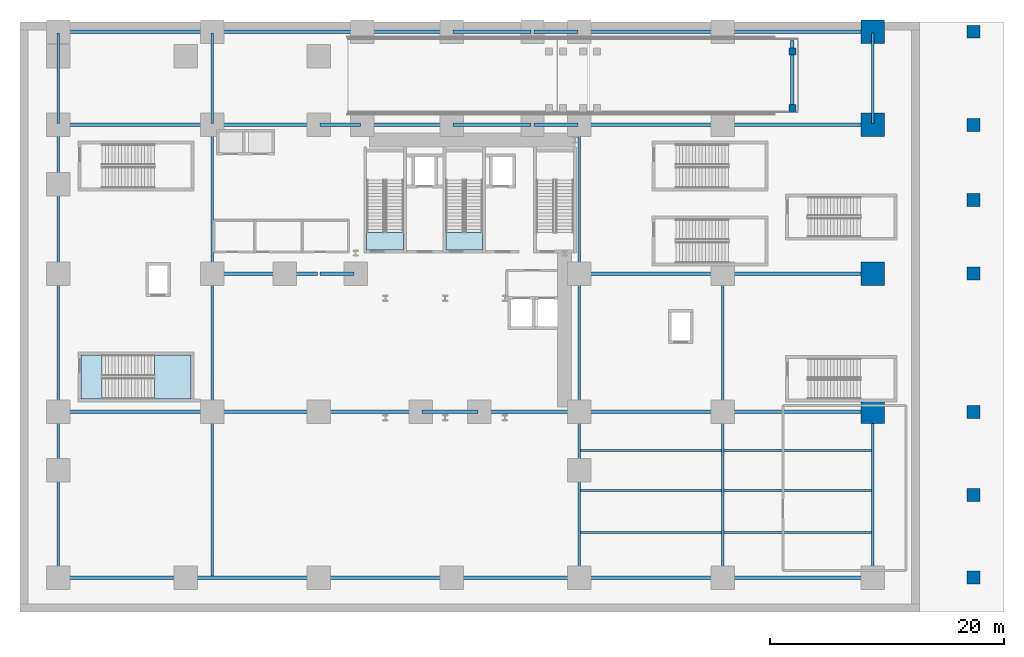
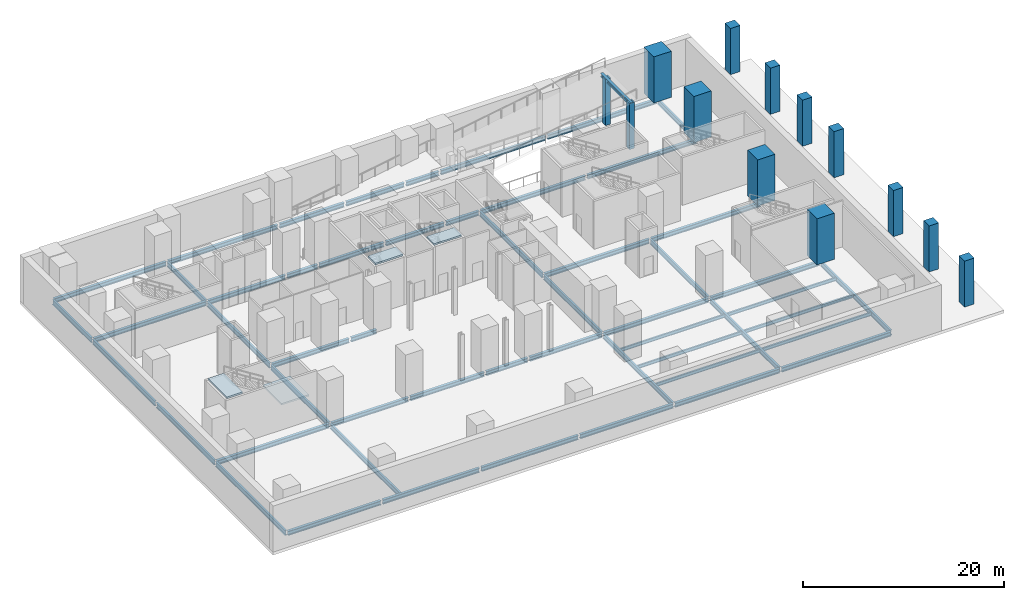
# One storey, part 2 of 16: 54 beams, 13 columns, 4 slabs, 3 elements without a shape of their own.
"""IFC4 building model written with IfcOpenShell, lengths in metres."""

from ifc_helpers import new_model, si_unit, direction, frame, origin, origin_2d, place, context, subcontext, project, spatial, polyline, rectangle, i_section, outline, extrude, source, transform, mapped, material, layer, layer_set, material_profile, profile_set, type_object, element, aggregate, save


model = new_model("IFC4")

# Units and contexts
model_context = context("Model", 3, precision=1e-05, world=origin(), true_north=direction((0.0, 1.0)))
body_context = subcontext(model_context, "Body", "Model", "MODEL_VIEW")
ifc_project = project(units=[si_unit("LENGTHUNIT", "METRE"), si_unit("AREAUNIT", "SQUARE_METRE"), si_unit("VOLUMEUNIT", "CUBIC_METRE"), si_unit("PLANEANGLEUNIT", "RADIAN"), si_unit("MASSUNIT", "GRAM", prefix="KILO")], contexts=[model_context])

# Site, building, storey
site_placement = place(None, origin())
site = spatial("IfcSite", under=ifc_project, at=site_placement, CompositionType="ELEMENT")
building_placement = place(site_placement, origin())
building = spatial("IfcBuilding", under=site, at=building_placement, Name="Vardaveli Station Tower", CompositionType="ELEMENT")
storey_placement = place(building_placement, frame((0.0, 0.0, -6.0)))
storey = spatial("IfcBuildingStorey", under=building, at=storey_placement, Name="B01", CompositionType="ELEMENT", Elevation=-6.0)

# Columns
ifc_material_1 = material(Name="Concrete C70/85", Category="concrete")
ifc_material_profile_1 = material_profile(ifc_material_1, rectangle(XDim=2.0, YDim=2.0, at=origin_2d()), Name="SC 2000x2000")
ifc_profile_set_1 = profile_set([ifc_material_profile_1], Name="Concrete C70/85")
column_type_1 = type_object("IfcColumnType", Name="COL-SC-2000", PredefinedType="COLUMN", material=ifc_profile_set_1)
shared_shape_1 = source(origin(), body_context, "Body", "SweptSolid", [
    extrude(rectangle(XDim=2.0, YDim=2.0, at=origin_2d()), origin(), (0.0, 0.0, 1.0), 5.60009765625),
])
for number, where, z_axis, x_axis, name in (
    (1, (72.800048828125, 17.10009765625, 0.0), (0.0, 0.0, 1.0), (1.0, 0.0, 0.0), "COL-B01-SC15"),
    (2, (72.800048828125, 28.89990234375, 0.0), (0.0, 0.0, 1.0), (1.0, 0.0, 0.0), "COL-B01-SC19"),
    (3, (72.800048828125, 41.60009765625, 0.0), (0.0, 0.0, 1.0), (1.0, 0.0, 0.0), "COL-B01-SC27"),
    (4, (72.800048828125, 49.550048828125, 0.0), (0.0, 0.0, 1.0), (1.0, 0.0, 0.0), "COL-B01-SC36"),
):
    element("IfcColumn", number, at=place(storey_placement, frame(where, z_axis=z_axis, x_axis=x_axis)), inside=storey, type_object=column_type_1, Name=name, PredefinedType="COLUMN", context=body_context, shape_type="MappedRepresentation", body=[
        mapped(shared_shape_1, transform((0.0, 0.0, 0.0), scale=1.0)),
    ])
ifc_material_2 = material(Name="Concrete C60/75", Category="concrete")
ifc_material_profile_2 = material_profile(ifc_material_2, rectangle(XDim=1.10009765625, YDim=1.10009765625, at=origin_2d()), Name="RC 1100x1100")
ifc_profile_set_2 = profile_set([ifc_material_profile_2], Name="Concrete C60/75")
column_type_2 = type_object("IfcColumnType", Name="COL-RC-1100", PredefinedType="COLUMN", material=ifc_profile_set_2)
shared_shape_2 = source(origin(), body_context, "Body", "SweptSolid", [
    extrude(rectangle(XDim=1.10009765625, YDim=1.10009765625, at=origin_2d()), origin(), (0.0, 0.0, 1.0), 5.60009765625),
])
for number, where, z_axis, x_axis, name in (
    (5, (81.39990234375, 2.949951171875, 0.0), (0.0, 0.0, 1.0), (1.0, 0.0, 0.0), "COL-B01-EC01"),
    (6, (81.39990234375, 10.0, 0.0), (0.0, 0.0, 1.0), (1.0, 0.0, 0.0), "COL-B01-EC02"),
    (7, (81.39990234375, 17.10009765625, 0.0), (0.0, 0.0, 1.0), (1.0, 0.0, 0.0), "COL-B01-EC03"),
    (8, (81.39990234375, 28.89990234375, 0.0), (0.0, 0.0, 1.0), (1.0, 0.0, 0.0), "COL-B01-EC04"),
    (9, (81.39990234375, 35.199951171875, 0.0), (0.0, 0.0, 1.0), (1.0, 0.0, 0.0), "COL-B01-EC05"),
    (10, (81.39990234375, 41.60009765625, 0.0), (0.0, 0.0, 1.0), (1.0, 0.0, 0.0), "COL-B01-EC06"),
    (11, (81.39990234375, 49.550048828125, 0.0), (0.0, 0.0, 1.0), (1.0, 0.0, 0.0), "COL-B01-EC07"),
):
    element("IfcColumn", number, at=place(storey_placement, frame(where, z_axis=z_axis, x_axis=x_axis)), inside=storey, type_object=column_type_2, Name=name, PredefinedType="COLUMN", context=body_context, shape_type="MappedRepresentation", body=[
        mapped(shared_shape_2, transform((0.0, 0.0, 0.0), scale=1.0)),
    ])
ifc_material_3 = material(Name="Concrete C50/60", Category="concrete")
ifc_material_profile_3 = material_profile(ifc_material_3, rectangle(XDim=0.60009765625, YDim=0.60009765625, at=origin_2d()), Name="RC 600x600")
ifc_profile_set_3 = profile_set([ifc_material_profile_3], Name="Concrete C50/60")
column_type_3 = type_object("IfcColumnType", Name="COL-RC-600", PredefinedType="COLUMN", material=ifc_profile_set_3)
shared_shape_3 = source(origin(), body_context, "Body", "SweptSolid", [
    extrude(rectangle(XDim=0.60009765625, YDim=0.60009765625, at=origin_2d()), origin(), (0.0, 0.0, 1.0), 5.59423828125),
])
for number, where, z_axis, x_axis, name in (
    (12, (65.93994140625, 43.050048828125, 0.0), (0.0, 0.0, 1.0), (1.0, 0.0, 0.0), "RMP-VEH-01-COLT1"),
    (13, (65.93994140625, 47.85009765625, 0.0), (0.0, 0.0, 1.0), (1.0, 0.0, 0.0), "RMP-VEH-01-COLT2"),
):
    element("IfcColumn", number, at=place(storey_placement, frame(where, z_axis=z_axis, x_axis=x_axis)), inside=storey, type_object=column_type_3, Name=name, PredefinedType="COLUMN", context=body_context, shape_type="MappedRepresentation", body=[
        mapped(shared_shape_3, transform((0.0, 0.0, 0.0), scale=1.0)),
    ])

# Beams
ifc_material_4 = material(Name="Structural steel S355J2", Category="steel")
ifc_material_profile_4 = material_profile(ifc_material_4, i_section(OverallWidth=0.305908203125, OverallDepth=0.52392578125, WebThickness=0.02099609375, FlangeThickness=0.0400390625, FilletRadius=0.027099609375, at=origin_2d()), Name="HEM 500")
ifc_profile_set_4 = profile_set([ifc_material_profile_4], Name="Structural steel S355J2")
beam_type_1 = type_object("IfcBeamType", Name="BM-HEM500", PredefinedType="BEAM", material=ifc_profile_set_4)
shared_shape_4 = source(origin(), body_context, "Body", "SweptSolid", [
    extrude(i_section(OverallWidth=0.305908203125, OverallDepth=0.52392578125, WebThickness=0.02099609375, FlangeThickness=0.0400390625, FilletRadius=0.027099609375, at=origin_2d()), origin(), (0.0, 0.0, 1.0), 10.669921875),
])
for number, where, z_axis, x_axis, name in (
    (14, (3.3701171875, 2.949951171875, -0.6220703125), (1.0, 0.0, 0.0), (0.0, 1.0, 0.0), "PBM-B01-EW0-0"),
    (15, (36.9599609375, 2.949951171875, -0.6220703125), (1.0, 0.0, 0.0), (0.0, 1.0, 0.0), "PBM-B01-EW0-3"),
):
    element("IfcBeam", number, at=place(storey_placement, frame(where, z_axis=z_axis, x_axis=x_axis)), inside=storey, type_object=beam_type_1, Name=name, PredefinedType="BEAM", context=body_context, shape_type="MappedRepresentation", body=[
        mapped(shared_shape_4, transform((0.0, 0.0, 0.0), scale=1.0)),
    ])
shared_shape_5 = source(origin(), body_context, "Body", "SweptSolid", [
    extrude(i_section(OverallWidth=0.305908203125, OverallDepth=0.52392578125, WebThickness=0.02099609375, FlangeThickness=0.0400390625, FilletRadius=0.027099609375, at=origin_2d()), origin(), (0.0, 0.0, 1.0), 11.099853515625),
])
for number, where, z_axis, x_axis, name in (
    (16, (14.280029296875, 2.949951171875, -0.6220703125), (1.0, 0.0, 0.0), (0.0, 1.0, 0.0), "PBM-B01-EW0-1"),
    (17, (25.6201171875, 2.949951171875, -0.6220703125), (1.0, 0.0, 0.0), (0.0, 1.0, 0.0), "PBM-B01-EW0-2"),
):
    element("IfcBeam", number, at=place(storey_placement, frame(where, z_axis=z_axis, x_axis=x_axis)), inside=storey, type_object=beam_type_1, Name=name, PredefinedType="BEAM", context=body_context, shape_type="MappedRepresentation", body=[
        mapped(shared_shape_5, transform((0.0, 0.0, 0.0), scale=1.0)),
    ])
shared_shape_6 = source(origin(), body_context, "Body", "SweptSolid", [
    extrude(i_section(OverallWidth=0.305908203125, OverallDepth=0.52392578125, WebThickness=0.02099609375, FlangeThickness=0.0400390625, FilletRadius=0.027099609375, at=origin_2d()), origin(), (0.0, 0.0, 1.0), 12.009765625),
])
for number, where, z_axis, x_axis, name in (
    (18, (47.8701171875, 2.949951171875, -0.6220703125), (1.0, 0.0, 0.0), (0.0, 1.0, 0.0), "PBM-B01-EW0-4"),
    (19, (47.8701171875, 17.10009765625, -0.6220703125), (1.0, 0.0, 0.0), (0.0, 1.0, 0.0), "PBM-B01-EW1-5"),
    (20, (47.8701171875, 28.89990234375, -0.6220703125), (1.0, 0.0, 0.0), (0.0, 1.0, 0.0), "PBM-B01-EWE2-0"),
    (21, (47.8701171875, 41.60009765625, -0.6220703125), (1.0, 0.0, 0.0), (0.0, 1.0, 0.0), "PBM-B01-EW3-6"),
    (22, (47.8701171875, 49.550048828125, -0.6220703125), (1.0, 0.0, 0.0), (0.0, 1.0, 0.0), "PBM-B01-EW4-5"),
):
    element("IfcBeam", number, at=place(storey_placement, frame(where, z_axis=z_axis, x_axis=x_axis)), inside=storey, type_object=beam_type_1, Name=name, PredefinedType="BEAM", context=body_context, shape_type="MappedRepresentation", body=[
        mapped(shared_shape_6, transform((0.0, 0.0, 0.0), scale=1.0)),
    ])
shared_shape_7 = source(origin(), body_context, "Body", "SweptSolid", [
    extrude(i_section(OverallWidth=0.305908203125, OverallDepth=0.52392578125, WebThickness=0.02099609375, FlangeThickness=0.0400390625, FilletRadius=0.027099609375, at=origin_2d()), origin(), (0.0, 0.0, 1.0), 12.559814453125),
])
for number, where, z_axis, x_axis, name in (
    (23, (60.1201171875, 2.949951171875, -0.6220703125), (1.0, 0.0, 0.0), (0.0, 1.0, 0.0), "PBM-B01-EW0-5"),
    (24, (60.1201171875, 17.10009765625, -0.6220703125), (1.0, 0.0, 0.0), (0.0, 1.0, 0.0), "PBM-B01-EW1-6"),
    (25, (60.1201171875, 28.89990234375, -0.6220703125), (1.0, 0.0, 0.0), (0.0, 1.0, 0.0), "PBM-B01-EWE2-1"),
    (26, (60.1201171875, 41.60009765625, -0.6220703125), (1.0, 0.0, 0.0), (0.0, 1.0, 0.0), "PBM-B01-EW3-7"),
    (27, (60.1201171875, 49.550048828125, -0.6220703125), (1.0, 0.0, 0.0), (0.0, 1.0, 0.0), "PBM-B01-EW4-6"),
):
    element("IfcBeam", number, at=place(storey_placement, frame(where, z_axis=z_axis, x_axis=x_axis)), inside=storey, type_object=beam_type_1, Name=name, PredefinedType="BEAM", context=body_context, shape_type="MappedRepresentation", body=[
        mapped(shared_shape_7, transform((0.0, 0.0, 0.0), scale=1.0)),
    ])
shared_shape_8 = source(origin(), body_context, "Body", "SweptSolid", [
    extrude(i_section(OverallWidth=0.305908203125, OverallDepth=0.52392578125, WebThickness=0.02099609375, FlangeThickness=0.0400390625, FilletRadius=0.027099609375, at=origin_2d()), origin(), (0.0, 0.0, 1.0), 12.909912109375),
])
for number, where, z_axis, x_axis, name in (
    (28, (3.3701171875, 17.10009765625, -0.6220703125), (1.0, 0.0, 0.0), (0.0, 1.0, 0.0), "PBM-B01-EW1-0"),
    (29, (3.3701171875, 41.60009765625, -0.6220703125), (1.0, 0.0, 0.0), (0.0, 1.0, 0.0), "PBM-B01-EW3-0"),
    (30, (3.3701171875, 49.550048828125, -0.6220703125), (1.0, 0.0, 0.0), (0.0, 1.0, 0.0), "PBM-B01-EW4-0"),
):
    element("IfcBeam", number, at=place(storey_placement, frame(where, z_axis=z_axis, x_axis=x_axis)), inside=storey, type_object=beam_type_1, Name=name, PredefinedType="BEAM", context=body_context, shape_type="MappedRepresentation", body=[
        mapped(shared_shape_8, transform((0.0, 0.0, 0.0), scale=1.0)),
    ])
shared_shape_9 = source(origin(), body_context, "Body", "SweptSolid", [
    extrude(i_section(OverallWidth=0.305908203125, OverallDepth=0.52392578125, WebThickness=0.02099609375, FlangeThickness=0.0400390625, FilletRadius=0.027099609375, at=origin_2d()), origin(), (0.0, 0.0, 1.0), 8.85986328125),
])
for number, where, z_axis, x_axis, name in (
    (31, (16.52001953125, 17.10009765625, -0.6220703125), (1.0, 0.0, 0.0), (0.0, 1.0, 0.0), "PBM-B01-EW1-1"),
    (32, (16.52001953125, 28.89990234375, -0.6220703125), (1.0, 0.0, 0.0), (0.0, 1.0, 0.0), "PBM-B01-EW2-1"),
    (33, (16.52001953125, 41.60009765625, -0.6220703125), (1.0, 0.0, 0.0), (0.0, 1.0, 0.0), "PBM-B01-EW3-1"),
):
    element("IfcBeam", number, at=place(storey_placement, frame(where, z_axis=z_axis, x_axis=x_axis)), inside=storey, type_object=beam_type_1, Name=name, PredefinedType="BEAM", context=body_context, shape_type="MappedRepresentation", body=[
        mapped(shared_shape_9, transform((0.0, 0.0, 0.0), scale=1.0)),
    ])
shared_shape_10 = source(origin(), body_context, "Body", "SweptSolid", [
    extrude(i_section(OverallWidth=0.305908203125, OverallDepth=0.52392578125, WebThickness=0.02099609375, FlangeThickness=0.0400390625, FilletRadius=0.027099609375, at=origin_2d()), origin(), (0.0, 0.0, 1.0), 8.4599609375),
])
beam_1_placement = place(storey_placement, frame((25.6201171875, 17.10009765625, -0.6220703125), z_axis=(1.0, 0.0, 0.0), x_axis=(0.0, 1.0, 0.0)))
element("IfcBeam", 34, at=beam_1_placement, inside=storey, type_object=beam_type_1, Name="PBM-B01-EW1-2", PredefinedType="BEAM", context=body_context, shape_type="MappedRepresentation", body=[
    mapped(shared_shape_10, transform((0.0, 0.0, 0.0), scale=1.0)),
])
shared_shape_11 = source(origin(), body_context, "Body", "SweptSolid", [
    extrude(i_section(OverallWidth=0.305908203125, OverallDepth=0.52392578125, WebThickness=0.02099609375, FlangeThickness=0.0400390625, FilletRadius=0.027099609375, at=origin_2d()), origin(), (0.0, 0.0, 1.0), 4.760009765625),
])
beam_2_placement = place(storey_placement, frame((34.320068359375, 17.10009765625, -0.6220703125), z_axis=(1.0, 0.0, 0.0), x_axis=(0.0, 1.0, 0.0)))
element("IfcBeam", 35, at=beam_2_placement, inside=storey, type_object=beam_type_1, Name="PBM-B01-EW1-3", PredefinedType="BEAM", context=body_context, shape_type="MappedRepresentation", body=[
    mapped(shared_shape_11, transform((0.0, 0.0, 0.0), scale=1.0)),
])
shared_shape_12 = source(origin(), body_context, "Body", "SweptSolid", [
    extrude(i_section(OverallWidth=0.305908203125, OverallDepth=0.52392578125, WebThickness=0.02099609375, FlangeThickness=0.0400390625, FilletRadius=0.027099609375, at=origin_2d()), origin(), (0.0, 0.0, 1.0), 8.309814453125),
])
beam_3_placement = place(storey_placement, frame((39.320068359375, 17.10009765625, -0.6220703125), z_axis=(1.0, 0.0, 0.0), x_axis=(0.0, 1.0, 0.0)))
element("IfcBeam", 36, at=beam_3_placement, inside=storey, type_object=beam_type_1, Name="PBM-B01-EW1-4", PredefinedType="BEAM", context=body_context, shape_type="MappedRepresentation", body=[
    mapped(shared_shape_12, transform((0.0, 0.0, 0.0), scale=1.0)),
])
shared_shape_13 = source(origin(), body_context, "Body", "SweptSolid", [
    extrude(i_section(OverallWidth=0.305908203125, OverallDepth=0.52392578125, WebThickness=0.02099609375, FlangeThickness=0.0400390625, FilletRadius=0.027099609375, at=origin_2d()), origin(), (0.0, 0.0, 1.0), 2.909912109375),
])
beam_4_placement = place(storey_placement, frame((25.6201171875, 28.89990234375, -0.6220703125), z_axis=(1.0, 0.0, 0.0), x_axis=(0.0, 1.0, 0.0)))
element("IfcBeam", 37, at=beam_4_placement, inside=storey, type_object=beam_type_1, Name="PBM-B01-EW2-2", PredefinedType="BEAM", context=body_context, shape_type="MappedRepresentation", body=[
    mapped(shared_shape_13, transform((0.0, 0.0, 0.0), scale=1.0)),
])
shared_shape_14 = source(origin(), body_context, "Body", "SweptSolid", [
    extrude(i_section(OverallWidth=0.305908203125, OverallDepth=0.52392578125, WebThickness=0.02099609375, FlangeThickness=0.0400390625, FilletRadius=0.027099609375, at=origin_2d()), origin(), (0.0, 0.0, 1.0), 3.4599609375),
])
beam_5_placement = place(storey_placement, frame((25.6201171875, 41.60009765625, -0.6220703125), z_axis=(1.0, 0.0, 0.0), x_axis=(0.0, 1.0, 0.0)))
element("IfcBeam", 38, at=beam_5_placement, inside=storey, type_object=beam_type_1, Name="PBM-B01-EW3-2", PredefinedType="BEAM", context=body_context, shape_type="MappedRepresentation", body=[
    mapped(shared_shape_14, transform((0.0, 0.0, 0.0), scale=1.0)),
])
shared_shape_15 = source(origin(), body_context, "Body", "SweptSolid", [
    extrude(i_section(OverallWidth=0.305908203125, OverallDepth=0.52392578125, WebThickness=0.02099609375, FlangeThickness=0.0400390625, FilletRadius=0.027099609375, at=origin_2d()), origin(), (0.0, 0.0, 1.0), 7.39990234375),
])
for number, where, z_axis, x_axis, name in (
    (39, (29.320068359375, 41.60009765625, -0.6220703125), (1.0, 0.0, 0.0), (0.0, 1.0, 0.0), "PBM-B01-EW3-3"),
    (40, (29.320068359375, 49.550048828125, -0.6220703125), (1.0, 0.0, 0.0), (0.0, 1.0, 0.0), "PBM-B01-EW4-2"),
):
    element("IfcBeam", number, at=place(storey_placement, frame(where, z_axis=z_axis, x_axis=x_axis)), inside=storey, type_object=beam_type_1, Name=name, PredefinedType="BEAM", context=body_context, shape_type="MappedRepresentation", body=[
        mapped(shared_shape_15, transform((0.0, 0.0, 0.0), scale=1.0)),
    ])
shared_shape_16 = source(origin(), body_context, "Body", "SweptSolid", [
    extrude(i_section(OverallWidth=0.305908203125, OverallDepth=0.52392578125, WebThickness=0.02099609375, FlangeThickness=0.0400390625, FilletRadius=0.027099609375, at=origin_2d()), origin(), (0.0, 0.0, 1.0), 6.669921875),
])
for number, where, z_axis, x_axis, name in (
    (41, (36.9599609375, 41.60009765625, -0.6220703125), (1.0, 0.0, 0.0), (0.0, 1.0, 0.0), "PBM-B01-EW3-4"),
    (42, (36.9599609375, 49.550048828125, -0.6220703125), (1.0, 0.0, 0.0), (0.0, 1.0, 0.0), "PBM-B01-EW4-3"),
):
    element("IfcBeam", number, at=place(storey_placement, frame(where, z_axis=z_axis, x_axis=x_axis)), inside=storey, type_object=beam_type_1, Name=name, PredefinedType="BEAM", context=body_context, shape_type="MappedRepresentation", body=[
        mapped(shared_shape_16, transform((0.0, 0.0, 0.0), scale=1.0)),
    ])
shared_shape_17 = source(origin(), body_context, "Body", "SweptSolid", [
    extrude(i_section(OverallWidth=0.305908203125, OverallDepth=0.52392578125, WebThickness=0.02099609375, FlangeThickness=0.0400390625, FilletRadius=0.027099609375, at=origin_2d()), origin(), (0.0, 0.0, 1.0), 3.759765625),
])
for number, where, z_axis, x_axis, name in (
    (43, (43.8701171875, 41.60009765625, -0.6220703125), (1.0, 0.0, 0.0), (0.0, 1.0, 0.0), "PBM-B01-EW3-5"),
    (44, (43.8701171875, 49.550048828125, -0.6220703125), (1.0, 0.0, 0.0), (0.0, 1.0, 0.0), "PBM-B01-EW4-4"),
):
    element("IfcBeam", number, at=place(storey_placement, frame(where, z_axis=z_axis, x_axis=x_axis)), inside=storey, type_object=beam_type_1, Name=name, PredefinedType="BEAM", context=body_context, shape_type="MappedRepresentation", body=[
        mapped(shared_shape_17, transform((0.0, 0.0, 0.0), scale=1.0)),
    ])
shared_shape_18 = source(origin(), body_context, "Body", "SweptSolid", [
    extrude(i_section(OverallWidth=0.305908203125, OverallDepth=0.52392578125, WebThickness=0.02099609375, FlangeThickness=0.0400390625, FilletRadius=0.027099609375, at=origin_2d()), origin(), (0.0, 0.0, 1.0), 12.56005859375),
])
beam_6_placement = place(storey_placement, frame((16.52001953125, 49.550048828125, -0.6220703125), z_axis=(1.0, 0.0, 0.0), x_axis=(0.0, 1.0, 0.0)))
element("IfcBeam", 45, at=beam_6_placement, inside=storey, type_object=beam_type_1, Name="PBM-B01-EW4-1", PredefinedType="BEAM", context=body_context, shape_type="MappedRepresentation", body=[
    mapped(shared_shape_18, transform((0.0, 0.0, 0.0), scale=1.0)),
])
ifc_material_profile_5 = material_profile(ifc_material_4, i_section(OverallWidth=0.219970703125, OverallDepth=0.60009765625, WebThickness=0.011962890625, FlangeThickness=0.01904296875, FilletRadius=0.02392578125, at=origin_2d()), Name="IPE 600")
ifc_profile_set_5 = profile_set([ifc_material_profile_5], Name="Structural steel S355J2")
beam_type_2 = type_object("IfcBeamType", Name="BM-IPE600", PredefinedType="BEAM", material=ifc_profile_set_5)
shared_shape_19 = source(origin(), body_context, "Body", "SweptSolid", [
    extrude(i_section(OverallWidth=0.219970703125, OverallDepth=0.60009765625, WebThickness=0.011962890625, FlangeThickness=0.01904296875, FilletRadius=0.02392578125, at=origin_2d()), origin(), (0.0, 0.0, 1.0), 13.909912109375),
])
for number, where, z_axis, x_axis, name in (
    (46, (3.25, 3.070068359375, -0.659912109375), (0.0, 1.0, 0.0), (-1.0, 0.0, 0.0), "PBM-B01-NS0-0"),
    (47, (16.39990234375, 3.070068359375, -0.659912109375), (0.0, 1.0, 0.0), (-1.0, 0.0, 0.0), "PBM-B01-NS1-0"),
    (48, (47.75, 3.070068359375, -0.659912109375), (0.0, 1.0, 0.0), (-1.0, 0.0, 0.0), "PBM-B01-NS2-0"),
    (49, (60.0, 3.070068359375, -0.659912109375), (0.0, 1.0, 0.0), (-1.0, 0.0, 0.0), "PBM-B01-NS3-0"),
    (50, (72.800048828125, 3.070068359375, -0.659912109375), (0.0, 1.0, 0.0), (-1.0, 0.0, 0.0), "PBM-B01-NS4-0"),
):
    element("IfcBeam", number, at=place(storey_placement, frame(where, z_axis=z_axis, x_axis=x_axis)), inside=storey, type_object=beam_type_2, Name=name, PredefinedType="BEAM", context=body_context, shape_type="MappedRepresentation", body=[
        mapped(shared_shape_19, transform((0.0, 0.0, 0.0), scale=1.0)),
    ])
shared_shape_20 = source(origin(), body_context, "Body", "SweptSolid", [
    extrude(i_section(OverallWidth=0.219970703125, OverallDepth=0.60009765625, WebThickness=0.011962890625, FlangeThickness=0.01904296875, FilletRadius=0.02392578125, at=origin_2d()), origin(), (0.0, 0.0, 1.0), 11.56005859375),
])
for number, where, z_axis, x_axis, name in (
    (51, (3.25, 17.219970703125, -0.659912109375), (0.0, 1.0, 0.0), (-1.0, 0.0, 0.0), "PBM-B01-NS0-1"),
    (52, (16.39990234375, 17.219970703125, -0.659912109375), (0.0, 1.0, 0.0), (-1.0, 0.0, 0.0), "PBM-B01-NS1-1"),
    (53, (47.75, 17.219970703125, -0.659912109375), (0.0, 1.0, 0.0), (-1.0, 0.0, 0.0), "PBM-B01-NS2-1"),
    (54, (60.0, 17.219970703125, -0.659912109375), (0.0, 1.0, 0.0), (-1.0, 0.0, 0.0), "PBM-B01-NS3-1"),
):
    element("IfcBeam", number, at=place(storey_placement, frame(where, z_axis=z_axis, x_axis=x_axis)), inside=storey, type_object=beam_type_2, Name=name, PredefinedType="BEAM", context=body_context, shape_type="MappedRepresentation", body=[
        mapped(shared_shape_20, transform((0.0, 0.0, 0.0), scale=1.0)),
    ])
shared_shape_21 = source(origin(), body_context, "Body", "SweptSolid", [
    extrude(i_section(OverallWidth=0.219970703125, OverallDepth=0.60009765625, WebThickness=0.011962890625, FlangeThickness=0.01904296875, FilletRadius=0.02392578125, at=origin_2d()), origin(), (0.0, 0.0, 1.0), 12.4599609375),
])
for number, where, z_axis, x_axis, name in (
    (55, (3.25, 29.02001953125, -0.659912109375), (0.0, 1.0, 0.0), (-1.0, 0.0, 0.0), "PBM-B01-NS0-2"),
    (56, (16.39990234375, 29.02001953125, -0.659912109375), (0.0, 1.0, 0.0), (-1.0, 0.0, 0.0), "PBM-B01-NS1-2"),
    (57, (47.75, 29.02001953125, -0.659912109375), (0.0, 1.0, 0.0), (-1.0, 0.0, 0.0), "PBM-B01-NS2-2"),
):
    element("IfcBeam", number, at=place(storey_placement, frame(where, z_axis=z_axis, x_axis=x_axis)), inside=storey, type_object=beam_type_2, Name=name, PredefinedType="BEAM", context=body_context, shape_type="MappedRepresentation", body=[
        mapped(shared_shape_21, transform((0.0, 0.0, 0.0), scale=1.0)),
    ])
shared_shape_22 = source(origin(), body_context, "Body", "SweptSolid", [
    extrude(i_section(OverallWidth=0.219970703125, OverallDepth=0.60009765625, WebThickness=0.011962890625, FlangeThickness=0.01904296875, FilletRadius=0.02392578125, at=origin_2d()), origin(), (0.0, 0.0, 1.0), 7.7099609375),
])
for number, where, z_axis, x_axis, name in (
    (58, (3.25, 41.719970703125, -0.659912109375), (0.0, 1.0, 0.0), (-1.0, 0.0, 0.0), "PBM-B01-NS0-3"),
    (59, (16.39990234375, 41.719970703125, -0.659912109375), (0.0, 1.0, 0.0), (-1.0, 0.0, 0.0), "PBM-B01-NS1-3"),
    (60, (72.800048828125, 41.719970703125, -0.659912109375), (0.0, 1.0, 0.0), (-1.0, 0.0, 0.0), "PBM-B01-NS4-3"),
):
    element("IfcBeam", number, at=place(storey_placement, frame(where, z_axis=z_axis, x_axis=x_axis)), inside=storey, type_object=beam_type_2, Name=name, PredefinedType="BEAM", context=body_context, shape_type="MappedRepresentation", body=[
        mapped(shared_shape_22, transform((0.0, 0.0, 0.0), scale=1.0)),
    ])
ifc_material_profile_6 = material_profile(ifc_material_4, i_section(OverallWidth=0.179931640625, OverallDepth=0.39990234375, WebThickness=0.008544921875, FlangeThickness=0.013427734375, FilletRadius=0.02099609375, at=origin_2d()), Name="IPE 400")
ifc_profile_set_6 = profile_set([ifc_material_profile_6], Name="Structural steel S355J2")
beam_type_3 = type_object("IfcBeamType", Name="BM-IPE400", PredefinedType="JOIST", material=ifc_profile_set_6)
shared_shape_23 = source(origin(), body_context, "Body", "SweptSolid", [
    extrude(i_section(OverallWidth=0.179931640625, OverallDepth=0.39990234375, WebThickness=0.008544921875, FlangeThickness=0.013427734375, FilletRadius=0.02099609375, at=origin_2d()), origin(), (0.0, 0.0, 1.0), 12.02587890625),
])
for number, where, z_axis, x_axis, name in (
    (61, (47.862060546875, 6.800048828125, -0.56005859375), (1.0, 0.0, 0.0), (0.0, 1.0, 0.0), "PJ-B01-1-0"),
    (62, (47.862060546875, 10.39990234375, -0.56005859375), (1.0, 0.0, 0.0), (0.0, 1.0, 0.0), "PJ-B01-2-0"),
    (63, (47.862060546875, 13.800048828125, -0.56005859375), (1.0, 0.0, 0.0), (0.0, 1.0, 0.0), "PJ-B01-3-0"),
):
    element("IfcBeam", number, at=place(storey_placement, frame(where, z_axis=z_axis, x_axis=x_axis)), inside=storey, type_object=beam_type_3, Name=name, PredefinedType="JOIST", context=body_context, shape_type="MappedRepresentation", body=[
        mapped(shared_shape_23, transform((0.0, 0.0, 0.0), scale=1.0)),
    ])
shared_shape_24 = source(origin(), body_context, "Body", "SweptSolid", [
    extrude(i_section(OverallWidth=0.179931640625, OverallDepth=0.39990234375, WebThickness=0.008544921875, FlangeThickness=0.013427734375, FilletRadius=0.02099609375, at=origin_2d()), origin(), (0.0, 0.0, 1.0), 12.575927734375),
])
for number, where, z_axis, x_axis, name in (
    (64, (60.112060546875, 6.800048828125, -0.56005859375), (1.0, 0.0, 0.0), (0.0, 1.0, 0.0), "PJ-B01-1-1"),
    (65, (60.112060546875, 10.39990234375, -0.56005859375), (1.0, 0.0, 0.0), (0.0, 1.0, 0.0), "PJ-B01-2-1"),
    (66, (60.112060546875, 13.800048828125, -0.56005859375), (1.0, 0.0, 0.0), (0.0, 1.0, 0.0), "PJ-B01-3-1"),
):
    element("IfcBeam", number, at=place(storey_placement, frame(where, z_axis=z_axis, x_axis=x_axis)), inside=storey, type_object=beam_type_3, Name=name, PredefinedType="JOIST", context=body_context, shape_type="MappedRepresentation", body=[
        mapped(shared_shape_24, transform((0.0, 0.0, 0.0), scale=1.0)),
    ])
ifc_material_profile_7 = material_profile(ifc_material_4, i_section(OverallWidth=0.300048828125, OverallDepth=0.449951171875, WebThickness=0.013916015625, FlangeThickness=0.02587890625, FilletRadius=0.027099609375, at=origin_2d()), Name="HEB 450")
ifc_profile_set_7 = profile_set([ifc_material_profile_7], Name="Structural steel S355J2")
beam_type_4 = type_object("IfcBeamType", Name="BM-HEB450", PredefinedType="BEAM", material=ifc_profile_set_7)
shared_shape_25 = source(origin(), body_context, "Body", "SweptSolid", [
    extrude(i_section(OverallWidth=0.300048828125, OverallDepth=0.449951171875, WebThickness=0.013916015625, FlangeThickness=0.02587890625, FilletRadius=0.027099609375, at=origin_2d()), origin(), (0.0, 0.0, 1.0), 6.0),
])
beam_7_placement = place(storey_placement, frame((65.93994140625, 42.800048828125, 5.369384765625), z_axis=(0.0, 1.0, 0.0), x_axis=(-1.0, 0.0, 0.0)))
element("IfcBeam", 67, at=beam_7_placement, inside=storey, type_object=beam_type_4, Name="RMP-VEH-01-HBTOP", PredefinedType="BEAM", context=body_context, shape_type="MappedRepresentation", body=[
    mapped(shared_shape_25, transform((0.0, 0.0, 0.0), scale=1.0)),
])

# Stair, slab
ifc_material_5 = material(Name="Concrete C40/50", Category="concrete")
stair_type_1 = type_object("IfcStairType", Name="STR-CORE-1500", PredefinedType="HALF_TURN_STAIR", material=ifc_material_5)
stair_1_placement = place(storey_placement, origin())
stair_1 = element("IfcStair", 68, at=stair_1_placement, inside=storey, type_object=stair_type_1, Name="B01 ST-1", PredefinedType="HALF_TURN_STAIR")
ifc_layer = layer(ifc_material_5, 0.199951171875, Name="Concrete C40/50")
ifc_layer_set = layer_set([ifc_layer], Name="Concrete C40/50")
slab_type = type_object("IfcSlabType", Name="SLB-LAND-200", PredefinedType="LANDING", material=ifc_layer_set)
slab_1_placement = place(storey_placement, frame((0.0, 0.0, 5.800048828125)))
slab_1 = element("IfcSlab", 69, at=slab_1_placement, type_object=slab_type, Name="ST-1 landing 2", PredefinedType="LANDING", context=body_context, shape_type="SweptSolid", body=[
    extrude(outline(polyline([(32.75, 30.89990234375), (32.75, 32.39990234375), (29.60009765625, 32.39990234375), (29.60009765625, 30.89990234375), (32.75, 30.89990234375)])), origin(), (0.0, 0.0, 1.0), 0.199951171875),
])
aggregate(stair_1, [slab_1])

stair_2_placement = place(storey_placement, origin())
stair_2 = element("IfcStair", 70, at=stair_2_placement, inside=storey, type_object=stair_type_1, Name="B01 ST-2", PredefinedType="HALF_TURN_STAIR")
slab_2_placement = place(storey_placement, frame((0.0, 0.0, 5.800048828125)))
slab_2 = element("IfcSlab", 71, at=slab_2_placement, type_object=slab_type, Name="ST-2 landing 2", PredefinedType="LANDING", context=body_context, shape_type="SweptSolid", body=[
    extrude(outline(polyline([(39.5, 30.89990234375), (39.5, 32.39990234375), (36.35009765625, 32.39990234375), (36.35009765625, 30.89990234375), (39.5, 30.89990234375)])), origin(), (0.0, 0.0, 1.0), 0.199951171875),
])
aggregate(stair_2, [slab_2])

# Stair, slabs
stair_type_2 = type_object("IfcStairType", Name="STR-POD-1800", PredefinedType="HALF_TURN_STAIR", material=ifc_material_5)
stair_3_placement = place(storey_placement, origin())
stair_3 = element("IfcStair", 72, at=stair_3_placement, inside=storey, type_object=stair_type_2, Name="B01 ST-S1", PredefinedType="HALF_TURN_STAIR")
slab_3_placement = place(storey_placement, frame((0.0, 0.0, 2.800048828125)))
slab_3 = element("IfcSlab", 73, at=slab_3_placement, type_object=slab_type, Name="ST-S1 landing 1", PredefinedType="LANDING", context=body_context, shape_type="SweptSolid", body=[
    extrude(outline(polyline([(11.47998046875, 18.199951171875), (14.60009765625, 18.199951171875), (14.60009765625, 21.949951171875), (11.47998046875, 21.949951171875), (11.47998046875, 18.199951171875)])), origin(), (0.0, 0.0, 1.0), 0.199951171875),
])
slab_4_placement = place(storey_placement, frame((0.0, 0.0, 5.800048828125)))
slab_4 = element("IfcSlab", 74, at=slab_4_placement, type_object=slab_type, Name="ST-S1 landing 2", PredefinedType="LANDING", context=body_context, shape_type="SweptSolid", body=[
    extrude(outline(polyline([(5.199951171875, 18.199951171875), (7.0, 18.199951171875), (7.0, 21.949951171875), (5.199951171875, 21.949951171875), (5.199951171875, 18.199951171875)])), origin(), (0.0, 0.0, 1.0), 0.199951171875),
])
aggregate(stair_3, [slab_3, slab_4])

save(model, "model.ifc")
